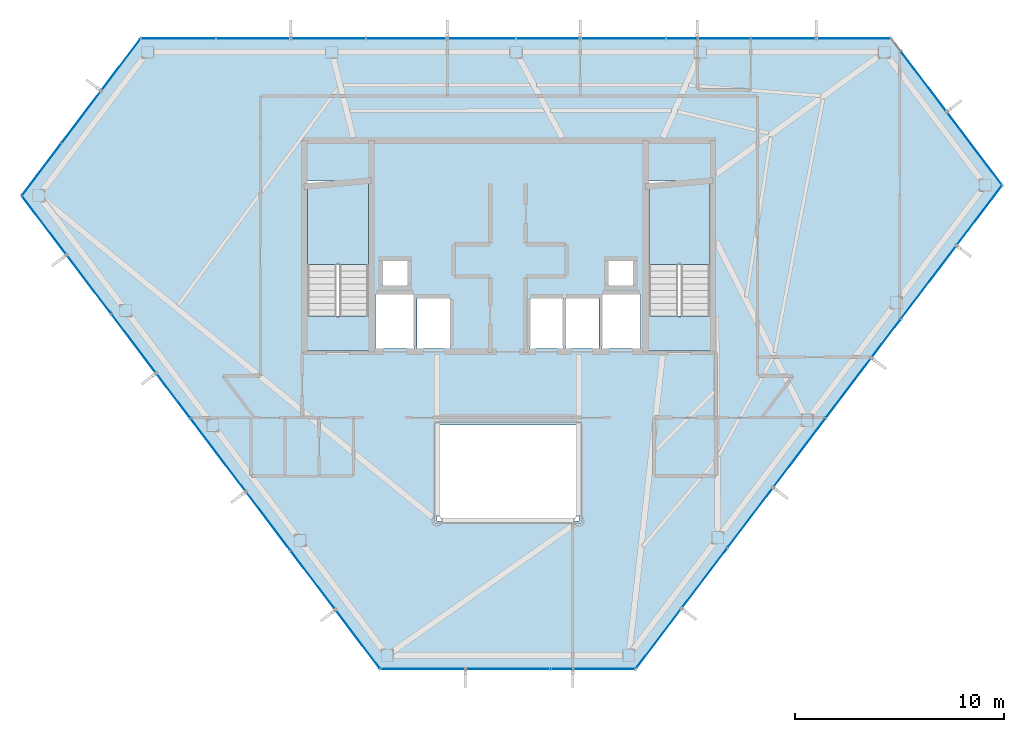
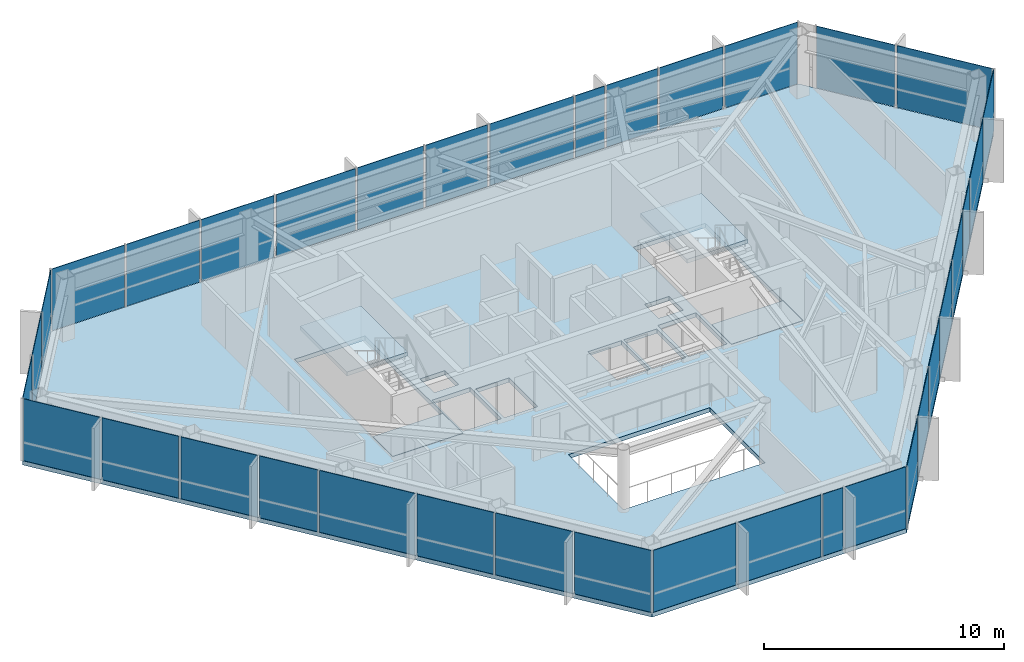
# One storey, part 24 of 28: 36 plates, 5 slabs, 8 elements without a shape of their own.
"""IFC4 building model written with IfcOpenShell, lengths in metres."""

from ifc_helpers import new_model, si_unit, direction, frame, origin, origin_2d, place, context, subcontext, project, spatial, polyline, rectangle, outline, extrude, material, layer, layer_set, type_object, element, aggregate, save


model = new_model("IFC4")

# Units and contexts
model_context = context("Model", 3, precision=1e-05, world=origin(), true_north=direction((0.0, 1.0)))
body_context = subcontext(model_context, "Body", "Model", "MODEL_VIEW")
ifc_project = project(units=[si_unit("LENGTHUNIT", "METRE"), si_unit("AREAUNIT", "SQUARE_METRE"), si_unit("VOLUMEUNIT", "CUBIC_METRE"), si_unit("PLANEANGLEUNIT", "RADIAN"), si_unit("MASSUNIT", "GRAM", prefix="KILO")], contexts=[model_context])

# Site, building, storey
site_placement = place(None, origin())
site = spatial("IfcSite", under=ifc_project, at=site_placement, CompositionType="ELEMENT")
building_placement = place(site_placement, origin())
building = spatial("IfcBuilding", under=site, at=building_placement, Name="Zarrinselat Tower", CompositionType="ELEMENT")
storey_placement = place(building_placement, frame((0.0, 0.0, 218.9599609375)))
storey = spatial("IfcBuildingStorey", under=building, at=storey_placement, Name="L54", CompositionType="ELEMENT", Elevation=218.9599609375)

# Curtain wall, plates
ifc_material_1 = material(Name="Extruded Aluminium Alloy EN AW-6063 T6", Category="aluminium")
ifc_layer_1 = layer(ifc_material_1, 0.169921875)
ifc_layer_set_1 = layer_set([ifc_layer_1], Name="Extruded Aluminium Alloy EN AW-6063 T6")
curtain_wall_type = type_object("IfcCurtainWallType", Name="CWS-RES", PredefinedType="NOTDEFINED", material=ifc_layer_set_1)
curtain_wall_1_placement = place(storey_placement, origin())
curtain_wall_1 = element("IfcCurtainWall", 1, at=curtain_wall_1_placement, inside=storey, type_object=curtain_wall_type, Name="L54 Unitised Curtain Wall CW-L54-E01", PredefinedType="NOTDEFINED")
ifc_material_2 = material(Name="Double Low-E Laminated Solar Glass", Category="glass")
ifc_layer_2 = layer(ifc_material_2, 0.028076171875)
ifc_layer_set_2 = layer_set([ifc_layer_2], Name="Double Low-E Laminated Solar Glass")
plate_type = type_object("IfcPlateType", Name="PLT-CW-GL28", PredefinedType="CURTAIN_PANEL", material=ifc_layer_set_2)
plate_1_placement = place(storey_placement, frame((54.943603515625, 48.29443359375, 0.02001953125), z_axis=(0.0, 0.0, 1.0), x_axis=(-1.0, 0.0, 0.0)))
plate_1 = element("IfcPlate", 2, at=plate_1_placement, type_object=plate_type, Name="CW-L54-E01 Vision Glass Panel 1", PredefinedType="CURTAIN_PANEL", context=body_context, shape_type="SweptSolid", body=[
    extrude(rectangle(XDim=3.491455078125, YDim=0.028076171875, at=origin_2d()), origin(), (0.0, 0.0, 1.0), 3.139892578125),
])
plate_2_placement = place(storey_placement, frame((51.581787109375, 48.29443359375, 0.02001953125), z_axis=(0.0, 0.0, 1.0), x_axis=(-1.0, 0.0, 0.0)))
plate_2 = element("IfcPlate", 3, at=plate_2_placement, type_object=plate_type, Name="CW-L54-E01 Vision Glass Panel 2", PredefinedType="CURTAIN_PANEL", context=body_context, shape_type="SweptSolid", body=[
    extrude(rectangle(XDim=3.03271484375, YDim=0.028076171875, at=origin_2d()), origin(), (0.0, 0.0, 1.0), 3.139892578125),
])
plate_3_placement = place(storey_placement, frame((48.740234375, 48.29443359375, 0.02001953125), z_axis=(0.0, 0.0, 1.0), x_axis=(-1.0, 0.0, 0.0)))
plate_3 = element("IfcPlate", 4, at=plate_3_placement, type_object=plate_type, Name="CW-L54-E01 Vision Glass Panel 3", PredefinedType="CURTAIN_PANEL", context=body_context, shape_type="SweptSolid", body=[
    extrude(rectangle(XDim=2.449951171875, YDim=0.028076171875, at=origin_2d()), origin(), (0.0, 0.0, 1.0), 3.139892578125),
])
plate_4_placement = place(storey_placement, frame((46.71533203125, 48.29443359375, 0.02001953125), z_axis=(0.0, 0.0, 1.0), x_axis=(-1.0, 0.0, 0.0)))
plate_4 = element("IfcPlate", 5, at=plate_4_placement, type_object=plate_type, Name="CW-L54-E01 Vision Glass Panel 4", PredefinedType="CURTAIN_PANEL", context=body_context, shape_type="SweptSolid", body=[
    extrude(rectangle(XDim=1.400146484375, YDim=0.028076171875, at=origin_2d()), origin(), (0.0, 0.0, 1.0), 3.139892578125),
])
plate_5_placement = place(storey_placement, frame((43.910400390625, 48.29443359375, 0.02001953125), z_axis=(0.0, 0.0, 1.0), x_axis=(-1.0, 0.0, 0.0)))
plate_5 = element("IfcPlate", 6, at=plate_5_placement, type_object=plate_type, Name="CW-L54-E01 Vision Glass Panel 5", PredefinedType="CURTAIN_PANEL", context=body_context, shape_type="SweptSolid", body=[
    extrude(rectangle(XDim=4.010009765625, YDim=0.028076171875, at=origin_2d()), origin(), (0.0, 0.0, 1.0), 3.139892578125),
])
plate_6_placement = place(storey_placement, frame((40.31884765625, 48.29443359375, 0.02001953125), z_axis=(0.0, 0.0, 1.0), x_axis=(-1.0, 0.0, 0.0)))
plate_6 = element("IfcPlate", 7, at=plate_6_placement, type_object=plate_type, Name="CW-L54-E01 Vision Glass Panel 6", PredefinedType="CURTAIN_PANEL", context=body_context, shape_type="SweptSolid", body=[
    extrude(rectangle(XDim=2.972900390625, YDim=0.028076171875, at=origin_2d()), origin(), (0.0, 0.0, 1.0), 3.139892578125),
])
plate_7_placement = place(storey_placement, frame((37.14111328125, 48.29443359375, 0.02001953125), z_axis=(0.0, 0.0, 1.0), x_axis=(-1.0, 0.0, 0.0)))
plate_7 = element("IfcPlate", 8, at=plate_7_placement, type_object=plate_type, Name="CW-L54-E01 Vision Glass Panel 7", PredefinedType="CURTAIN_PANEL", context=body_context, shape_type="SweptSolid", body=[
    extrude(rectangle(XDim=3.1826171875, YDim=0.028076171875, at=origin_2d()), origin(), (0.0, 0.0, 1.0), 3.139892578125),
])
plate_8_placement = place(storey_placement, frame((33.5498046875, 48.29443359375, 0.02001953125), z_axis=(0.0, 0.0, 1.0), x_axis=(-1.0, 0.0, 0.0)))
plate_8 = element("IfcPlate", 9, at=plate_8_placement, type_object=plate_type, Name="CW-L54-E01 Vision Glass Panel 8", PredefinedType="CURTAIN_PANEL", context=body_context, shape_type="SweptSolid", body=[
    extrude(rectangle(XDim=3.80029296875, YDim=0.028076171875, at=origin_2d()), origin(), (0.0, 0.0, 1.0), 3.139892578125),
])
plate_9_placement = place(storey_placement, frame((29.803955078125, 48.29443359375, 0.02001953125), z_axis=(0.0, 0.0, 1.0), x_axis=(-1.0, 0.0, 0.0)))
plate_9 = element("IfcPlate", 10, at=plate_9_placement, type_object=plate_type, Name="CW-L54-E01 Vision Glass Panel 9", PredefinedType="CURTAIN_PANEL", context=body_context, shape_type="SweptSolid", body=[
    extrude(rectangle(XDim=3.491455078125, YDim=0.028076171875, at=origin_2d()), origin(), (0.0, 0.0, 1.0), 3.139892578125),
])
plate_10_placement = place(storey_placement, frame((26.212646484375, 48.29443359375, 0.02001953125), z_axis=(0.0, 0.0, 1.0), x_axis=(-1.0, 0.0, 0.0)))
plate_10 = element("IfcPlate", 11, at=plate_10_placement, type_object=plate_type, Name="CW-L54-E01 Vision Glass Panel 10", PredefinedType="CURTAIN_PANEL", context=body_context, shape_type="SweptSolid", body=[
    extrude(rectangle(XDim=3.491455078125, YDim=0.028076171875, at=origin_2d()), origin(), (0.0, 0.0, 1.0), 3.139892578125),
])
plate_11_placement = place(storey_placement, frame((22.62109375, 48.29443359375, 0.02001953125), z_axis=(0.0, 0.0, 1.0), x_axis=(-1.0, 0.0, 0.0)))
plate_11 = element("IfcPlate", 12, at=plate_11_placement, type_object=plate_type, Name="CW-L54-E01 Vision Glass Panel 11", PredefinedType="CURTAIN_PANEL", context=body_context, shape_type="SweptSolid", body=[
    extrude(rectangle(XDim=3.491455078125, YDim=0.028076171875, at=origin_2d()), origin(), (0.0, 0.0, 1.0), 3.139892578125),
])
aggregate(curtain_wall_1, [plate_1, plate_2, plate_3, plate_4, plate_5, plate_6, plate_7, plate_8, plate_9, plate_10, plate_11])

curtain_wall_2_placement = place(storey_placement, origin())
curtain_wall_2 = element("IfcCurtainWall", 13, at=curtain_wall_2_placement, inside=storey, type_object=curtain_wall_type, Name="L54 Unitised Curtain Wall CW-L54-E02", PredefinedType="NOTDEFINED")
plate_12_placement = place(storey_placement, frame((19.875732421875, 47.040771484375, 0.02001953125), z_axis=(0.0, 0.0, 1.0), x_axis=(-0.603865236347, -0.79708642965, 0.0)))
plate_12 = element("IfcPlate", 14, at=plate_12_placement, type_object=plate_type, Name="CW-L54-E02 Vision Glass Panel 1", PredefinedType="CURTAIN_PANEL", context=body_context, shape_type="SweptSolid", body=[
    extrude(rectangle(XDim=3.0458984375, YDim=0.028076171875, at=origin_2d()), origin(), (0.0, 0.0, 1.0), 3.139892578125),
])
plate_13_placement = place(storey_placement, frame((17.97607421875, 44.533203125, 0.02001953125), z_axis=(0.0, 0.0, 1.0), x_axis=(-0.603865236347, -0.79708642965, 0.0)))
plate_13 = element("IfcPlate", 15, at=plate_13_placement, type_object=plate_type, Name="CW-L54-E02 Vision Glass Panel 2", PredefinedType="CURTAIN_PANEL", context=body_context, shape_type="SweptSolid", body=[
    extrude(rectangle(XDim=3.0458984375, YDim=0.028076171875, at=origin_2d()), origin(), (0.0, 0.0, 1.0), 3.139892578125),
])
plate_14_placement = place(storey_placement, frame((16.076416015625, 42.025634765625, 0.02001953125), z_axis=(0.0, 0.0, 1.0), x_axis=(-0.603865236347, -0.79708642965, 0.0)))
plate_14 = element("IfcPlate", 16, at=plate_14_placement, type_object=plate_type, Name="CW-L54-E02 Vision Glass Panel 3", PredefinedType="CURTAIN_PANEL", context=body_context, shape_type="SweptSolid", body=[
    extrude(rectangle(XDim=3.0458984375, YDim=0.028076171875, at=origin_2d()), origin(), (0.0, 0.0, 1.0), 3.139892578125),
])
aggregate(curtain_wall_2, [plate_12, plate_13, plate_14])

curtain_wall_3_placement = place(storey_placement, origin())
curtain_wall_3 = element("IfcCurtainWall", 17, at=curtain_wall_3_placement, inside=storey, type_object=curtain_wall_type, Name="L54 Unitised Curtain Wall CW-L54-E03", PredefinedType="NOTDEFINED")
plate_15_placement = place(storey_placement, frame((16.19921875, 39.35595703125, 0.02001953125), z_axis=(0.0, 0.0, 1.0), x_axis=(0.603859787908, -0.797090557307, 0.0)))
plate_15 = element("IfcPlate", 18, at=plate_15_placement, type_object=plate_type, Name="CW-L54-E03 Vision Glass Panel 1", PredefinedType="CURTAIN_PANEL", context=body_context, shape_type="SweptSolid", body=[
    extrude(rectangle(XDim=3.452880859375, YDim=0.028076171875, at=origin_2d()), origin(), (0.0, 0.0, 1.0), 3.139892578125),
])
plate_16_placement = place(storey_placement, frame((18.3447265625, 36.524169921875, 0.02001953125), z_axis=(0.0, 0.0, 1.0), x_axis=(0.603859787908, -0.797090557307, 0.0)))
plate_16 = element("IfcPlate", 19, at=plate_16_placement, type_object=plate_type, Name="CW-L54-E03 Vision Glass Panel 2", PredefinedType="CURTAIN_PANEL", context=body_context, shape_type="SweptSolid", body=[
    extrude(rectangle(XDim=3.452880859375, YDim=0.028076171875, at=origin_2d()), origin(), (0.0, 0.0, 1.0), 3.139892578125),
])
plate_17_placement = place(storey_placement, frame((20.489990234375, 33.692138671875, 0.02001953125), z_axis=(0.0, 0.0, 1.0), x_axis=(0.603859787908, -0.797090557307, 0.0)))
plate_17 = element("IfcPlate", 20, at=plate_17_placement, type_object=plate_type, Name="CW-L54-E03 Vision Glass Panel 3", PredefinedType="CURTAIN_PANEL", context=body_context, shape_type="SweptSolid", body=[
    extrude(rectangle(XDim=3.452880859375, YDim=0.028076171875, at=origin_2d()), origin(), (0.0, 0.0, 1.0), 3.139892578125),
])
plate_18_placement = place(storey_placement, frame((22.3818359375, 31.195068359375, 0.02001953125), z_axis=(0.0, 0.0, 1.0), x_axis=(0.603859787908, -0.797090557307, 0.0)))
plate_18 = element("IfcPlate", 21, at=plate_18_placement, type_object=plate_type, Name="CW-L54-E03 Vision Glass Panel 4", PredefinedType="CURTAIN_PANEL", context=body_context, shape_type="SweptSolid", body=[
    extrude(rectangle(XDim=2.613037109375, YDim=0.028076171875, at=origin_2d()), origin(), (0.0, 0.0, 1.0), 3.139892578125),
])
plate_19_placement = place(storey_placement, frame((24.52734375, 28.363037109375, 0.02001953125), z_axis=(0.0, 0.0, 1.0), x_axis=(0.603859787908, -0.797090557307, 0.0)))
plate_19 = element("IfcPlate", 22, at=plate_19_placement, type_object=plate_type, Name="CW-L54-E03 Vision Glass Panel 5", PredefinedType="CURTAIN_PANEL", context=body_context, shape_type="SweptSolid", body=[
    extrude(rectangle(XDim=4.29248046875, YDim=0.028076171875, at=origin_2d()), origin(), (0.0, 0.0, 1.0), 3.139892578125),
])
plate_20_placement = place(storey_placement, frame((26.92626953125, 25.196533203125, 0.02001953125), z_axis=(0.0, 0.0, 1.0), x_axis=(0.603859787908, -0.797090557307, 0.0)))
plate_20 = element("IfcPlate", 23, at=plate_20_placement, type_object=plate_type, Name="CW-L54-E03 Vision Glass Panel 6", PredefinedType="CURTAIN_PANEL", context=body_context, shape_type="SweptSolid", body=[
    extrude(rectangle(XDim=3.452880859375, YDim=0.028076171875, at=origin_2d()), origin(), (0.0, 0.0, 1.0), 3.139892578125),
])
plate_21_placement = place(storey_placement, frame((29.07177734375, 22.364501953125, 0.02001953125), z_axis=(0.0, 0.0, 1.0), x_axis=(0.603859787908, -0.797090557307, 0.0)))
plate_21 = element("IfcPlate", 24, at=plate_21_placement, type_object=plate_type, Name="CW-L54-E03 Vision Glass Panel 7", PredefinedType="CURTAIN_PANEL", context=body_context, shape_type="SweptSolid", body=[
    extrude(rectangle(XDim=3.452880859375, YDim=0.028076171875, at=origin_2d()), origin(), (0.0, 0.0, 1.0), 3.139892578125),
])
plate_22_placement = place(storey_placement, frame((31.217041015625, 19.53271484375, 0.02001953125), z_axis=(0.0, 0.0, 1.0), x_axis=(0.603859787908, -0.797090557307, 0.0)))
plate_22 = element("IfcPlate", 25, at=plate_22_placement, type_object=plate_type, Name="CW-L54-E03 Vision Glass Panel 8", PredefinedType="CURTAIN_PANEL", context=body_context, shape_type="SweptSolid", body=[
    extrude(rectangle(XDim=3.452880859375, YDim=0.028076171875, at=origin_2d()), origin(), (0.0, 0.0, 1.0), 3.139892578125),
])
aggregate(curtain_wall_3, [plate_15, plate_16, plate_17, plate_18, plate_19, plate_20, plate_21, plate_22])

curtain_wall_4_placement = place(storey_placement, origin())
curtain_wall_4 = element("IfcCurtainWall", 26, at=curtain_wall_4_placement, inside=storey, type_object=curtain_wall_type, Name="L54 Unitised Curtain Wall CW-L54-E04", PredefinedType="NOTDEFINED")
plate_23_placement = place(storey_placement, frame((34.326416015625, 18.11669921875, 0.02001953125), z_axis=(0.0, 0.0, 1.0), x_axis=(1.0, 0.0, 0.0)))
plate_23 = element("IfcPlate", 27, at=plate_23_placement, type_object=plate_type, Name="CW-L54-E04 Vision Glass Panel 1", PredefinedType="CURTAIN_PANEL", context=body_context, shape_type="SweptSolid", body=[
    extrude(rectangle(XDim=3.973388671875, YDim=0.028076171875, at=origin_2d()), origin(), (0.0, 0.0, 1.0), 3.139892578125),
])
plate_24_placement = place(storey_placement, frame((38.39990234375, 18.11669921875, 0.02001953125), z_axis=(0.0, 0.0, 1.0), x_axis=(1.0, 0.0, 0.0)))
plate_24 = element("IfcPlate", 28, at=plate_24_placement, type_object=plate_type, Name="CW-L54-E04 Vision Glass Panel 2", PredefinedType="CURTAIN_PANEL", context=body_context, shape_type="SweptSolid", body=[
    extrude(rectangle(XDim=3.973388671875, YDim=0.028076171875, at=origin_2d()), origin(), (0.0, 0.0, 1.0), 3.139892578125),
])
plate_25_placement = place(storey_placement, frame((40.968505859375, 18.11669921875, 0.02001953125), z_axis=(0.0, 0.0, 1.0), x_axis=(1.0, 0.0, 0.0)))
plate_25 = element("IfcPlate", 29, at=plate_25_placement, type_object=plate_type, Name="CW-L54-E04 Vision Glass Panel 3", PredefinedType="CURTAIN_PANEL", context=body_context, shape_type="SweptSolid", body=[
    extrude(rectangle(XDim=0.96337890625, YDim=0.028076171875, at=origin_2d()), origin(), (0.0, 0.0, 1.0), 3.139892578125),
])
plate_26_placement = place(storey_placement, frame((43.005126953125, 18.11669921875, 0.02001953125), z_axis=(0.0, 0.0, 1.0), x_axis=(1.0, 0.0, 0.0)))
plate_26 = element("IfcPlate", 30, at=plate_26_placement, type_object=plate_type, Name="CW-L54-E04 Vision Glass Panel 4", PredefinedType="CURTAIN_PANEL", context=body_context, shape_type="SweptSolid", body=[
    extrude(rectangle(XDim=2.91015625, YDim=0.028076171875, at=origin_2d()), origin(), (0.0, 0.0, 1.0), 3.139892578125),
])
aggregate(curtain_wall_4, [plate_23, plate_24, plate_25, plate_26])

curtain_wall_5_placement = place(storey_placement, origin())
curtain_wall_5 = element("IfcCurtainWall", 31, at=curtain_wall_5_placement, inside=storey, type_object=curtain_wall_type, Name="L54 Unitised Curtain Wall CW-L54-E05", PredefinedType="NOTDEFINED")
plate_27_placement = place(storey_placement, frame((45.606689453125, 19.564208984375, 0.02001953125), z_axis=(0.0, 0.0, 1.0), x_axis=(0.603859212041, 0.797090993572, 0.0)))
plate_27 = element("IfcPlate", 32, at=plate_27_placement, type_object=plate_type, Name="CW-L54-E05 Vision Glass Panel 1", PredefinedType="CURTAIN_PANEL", context=body_context, shape_type="SweptSolid", body=[
    extrude(rectangle(XDim=3.531982421875, YDim=0.028076171875, at=origin_2d()), origin(), (0.0, 0.0, 1.0), 3.139892578125),
])
plate_28_placement = place(storey_placement, frame((47.800048828125, 22.459228515625, 0.02001953125), z_axis=(0.0, 0.0, 1.0), x_axis=(0.603859212041, 0.797090993572, 0.0)))
plate_28 = element("IfcPlate", 33, at=plate_28_placement, type_object=plate_type, Name="CW-L54-E05 Vision Glass Panel 2", PredefinedType="CURTAIN_PANEL", context=body_context, shape_type="SweptSolid", body=[
    extrude(rectangle(XDim=3.531982421875, YDim=0.028076171875, at=origin_2d()), origin(), (0.0, 0.0, 1.0), 3.139892578125),
])
plate_29_placement = place(storey_placement, frame((49.9931640625, 25.354248046875, 0.02001953125), z_axis=(0.0, 0.0, 1.0), x_axis=(0.603859212041, 0.797090993572, 0.0)))
plate_29 = element("IfcPlate", 34, at=plate_29_placement, type_object=plate_type, Name="CW-L54-E05 Vision Glass Panel 3", PredefinedType="CURTAIN_PANEL", context=body_context, shape_type="SweptSolid", body=[
    extrude(rectangle(XDim=3.531982421875, YDim=0.028076171875, at=origin_2d()), origin(), (0.0, 0.0, 1.0), 3.139892578125),
])
plate_30_placement = place(storey_placement, frame((52.344482421875, 28.457763671875, 0.02001953125), z_axis=(0.0, 0.0, 1.0), x_axis=(0.603859212041, 0.797090993572, 0.0)))
plate_30 = element("IfcPlate", 35, at=plate_30_placement, type_object=plate_type, Name="CW-L54-E05 Vision Glass Panel 4", PredefinedType="CURTAIN_PANEL", context=body_context, shape_type="SweptSolid", body=[
    extrude(rectangle(XDim=4.05517578125, YDim=0.028076171875, at=origin_2d()), origin(), (0.0, 0.0, 1.0), 3.139892578125),
])
plate_31_placement = place(storey_placement, frame((54.695068359375, 31.560546875, 0.02001953125), z_axis=(0.0, 0.0, 1.0), x_axis=(0.603859212041, 0.797090993572, 0.0)))
plate_31 = element("IfcPlate", 36, at=plate_31_placement, type_object=plate_type, Name="CW-L54-E05 Vision Glass Panel 5", PredefinedType="CURTAIN_PANEL", context=body_context, shape_type="SweptSolid", body=[
    extrude(rectangle(XDim=3.530029296875, YDim=0.028076171875, at=origin_2d()), origin(), (0.0, 0.0, 1.0), 3.139892578125),
])
plate_32_placement = place(storey_placement, frame((56.49462890625, 33.93603515625, 0.02001953125), z_axis=(0.0, 0.0, 1.0), x_axis=(0.603859212041, 0.797090993572, 0.0)))
plate_32 = element("IfcPlate", 37, at=plate_32_placement, type_object=plate_type, Name="CW-L54-E05 Vision Glass Panel 6", PredefinedType="CURTAIN_PANEL", context=body_context, shape_type="SweptSolid", body=[
    extrude(rectangle(XDim=2.230712890625, YDim=0.028076171875, at=origin_2d()), origin(), (0.0, 0.0, 1.0), 3.139892578125),
])
plate_33_placement = place(storey_placement, frame((58.530517578125, 36.623291015625, 0.02001953125), z_axis=(0.0, 0.0, 1.0), x_axis=(0.603859212041, 0.797090993572, 0.0)))
plate_33 = element("IfcPlate", 38, at=plate_33_placement, type_object=plate_type, Name="CW-L54-E05 Vision Glass Panel 7", PredefinedType="CURTAIN_PANEL", context=body_context, shape_type="SweptSolid", body=[
    extrude(rectangle(XDim=4.31201171875, YDim=0.028076171875, at=origin_2d()), origin(), (0.0, 0.0, 1.0), 3.139892578125),
])
plate_34_placement = place(storey_placement, frame((60.959228515625, 39.829345703125, 0.02001953125), z_axis=(0.0, 0.0, 1.0), x_axis=(0.603859212041, 0.797090993572, 0.0)))
plate_34 = element("IfcPlate", 39, at=plate_34_placement, type_object=plate_type, Name="CW-L54-E05 Vision Glass Panel 8", PredefinedType="CURTAIN_PANEL", context=body_context, shape_type="SweptSolid", body=[
    extrude(rectangle(XDim=3.531982421875, YDim=0.028076171875, at=origin_2d()), origin(), (0.0, 0.0, 1.0), 3.139892578125),
])
aggregate(curtain_wall_5, [plate_27, plate_28, plate_29, plate_30, plate_31, plate_32, plate_33, plate_34])

curtain_wall_6_placement = place(storey_placement, origin())
curtain_wall_6 = element("IfcCurtainWall", 40, at=curtain_wall_6_placement, inside=storey, type_object=curtain_wall_type, Name="L54 Unitised Curtain Wall CW-L54-E06", PredefinedType="NOTDEFINED")
plate_35_placement = place(storey_placement, frame((60.726806640625, 43.03125, 0.02001953125), z_axis=(0.0, 0.0, 1.0), x_axis=(-0.603860312232, 0.797090160089, 0.0)))
plate_35 = element("IfcPlate", 41, at=plate_35_placement, type_object=plate_type, Name="CW-L54-E06 Vision Glass Panel 1", PredefinedType="CURTAIN_PANEL", context=body_context, shape_type="SweptSolid", body=[
    extrude(rectangle(XDim=4.302001953125, YDim=0.028076171875, at=origin_2d()), origin(), (0.0, 0.0, 1.0), 3.139892578125),
])
plate_36_placement = place(storey_placement, frame((58.298095703125, 46.237060546875, 0.02001953125), z_axis=(0.0, 0.0, 1.0), x_axis=(-0.603860312232, 0.797090160089, 0.0)))
plate_36 = element("IfcPlate", 42, at=plate_36_placement, type_object=plate_type, Name="CW-L54-E06 Vision Glass Panel 2", PredefinedType="CURTAIN_PANEL", context=body_context, shape_type="SweptSolid", body=[
    extrude(rectangle(XDim=3.5419921875, YDim=0.028076171875, at=origin_2d()), origin(), (0.0, 0.0, 1.0), 3.139892578125),
])
aggregate(curtain_wall_6, [plate_35, plate_36])

# Slabs
ifc_material_3 = material(Name="Concrete C40/50", Category="concrete")
ifc_layer_3 = layer(ifc_material_3, 0.219970703125)
ifc_layer_set_3 = layer_set([ifc_layer_3], Name="Concrete C40/50")
slab_type_1 = type_object("IfcSlabType", Name="SLB-FLOOR-220-SL-RS220", PredefinedType="FLOOR", material=ifc_layer_set_3)
slab_1_placement = place(storey_placement, frame((0.0, 0.0, -0.219970703125)))
element("IfcSlab", 43, at=slab_1_placement, inside=storey, type_object=slab_type_1, Name="L54 Primary Structural Slab", PredefinedType="FLOOR", context=body_context, shape_type="SweptSolid", body=[
    extrude(outline(polyline([(56.739501953125, 48.29443359375), (20.825439453125, 48.29443359375), (15.126708984375, 40.77197265625), (32.289794921875, 18.11669921875), (44.51025390625, 18.11669921875), (62.055908203125, 41.27685546875), (56.739501953125, 48.29443359375)]), holes=[polyline([(41.800048828125, 25.199951171875), (35.0, 25.199951171875), (35.0, 29.800048828125), (41.800048828125, 29.800048828125), (41.800048828125, 25.199951171875)]), polyline([(35.64990234375, 33.449951171875), (34.050048828125, 33.449951171875), (34.050048828125, 35.85009765625), (35.64990234375, 35.85009765625), (35.64990234375, 33.449951171875)]), polyline([(41.050048828125, 33.449951171875), (39.449951171875, 33.449951171875), (39.449951171875, 35.85009765625), (41.050048828125, 35.85009765625), (41.050048828125, 33.449951171875)]), polyline([(41.14990234375, 33.449951171875), (41.14990234375, 35.85009765625), (42.75, 35.85009765625), (42.75, 33.449951171875), (41.14990234375, 33.449951171875)]), polyline([(32.06005859375, 33.449951171875), (32.06005859375, 36.050048828125), (33.89990234375, 36.050048828125), (33.89990234375, 33.449951171875), (32.06005859375, 33.449951171875)]), polyline([(44.739990234375, 33.449951171875), (42.89990234375, 33.449951171875), (42.89990234375, 36.050048828125), (44.739990234375, 36.050048828125), (44.739990234375, 33.449951171875)]), polyline([(33.60009765625, 36.47998046875), (32.419921875, 36.47998046875), (32.419921875, 37.639892578125), (33.60009765625, 37.639892578125), (33.60009765625, 36.47998046875)]), polyline([(44.3798828125, 36.47998046875), (43.199951171875, 36.47998046875), (43.199951171875, 37.639892578125), (44.3798828125, 37.639892578125), (44.3798828125, 36.47998046875)]), polyline([(31.985107421875, 33.324951171875), (28.60498046875, 33.324951171875), (28.60498046875, 41.47509765625), (31.985107421875, 41.47509765625), (31.985107421875, 33.324951171875)]), polyline([(48.324951171875, 33.324951171875), (44.875, 33.324951171875), (44.875, 41.47509765625), (48.324951171875, 41.47509765625), (48.324951171875, 33.324951171875)])]), origin(), (0.0, 0.0, 1.0), 0.219970703125),
])
slab_2_placement = place(storey_placement, frame((0.0, 0.0, -0.219970703125)))
element("IfcSlab", 44, at=slab_2_placement, inside=storey, type_object=slab_type_1, Name="L54 Stair ST-1-FL1 Structural Floor Landing", PredefinedType="FLOOR", context=body_context, shape_type="SweptSolid", body=[
    extrude(outline(polyline([(31.97998046875, 33.330078125), (31.97998046875, 35.0), (28.610107421875, 35.0), (28.610107421875, 33.330078125), (31.97998046875, 33.330078125)])), origin(), (0.0, 0.0, 1.0), 0.219970703125),
])
slab_3_placement = place(storey_placement, frame((0.0, 0.0, -0.219970703125)))
element("IfcSlab", 45, at=slab_3_placement, inside=storey, type_object=slab_type_1, Name="L54 Stair ST-2-FL1 Structural Floor Landing", PredefinedType="FLOOR", context=body_context, shape_type="SweptSolid", body=[
    extrude(outline(polyline([(48.320068359375, 33.330078125), (48.320068359375, 35.0), (44.8798828125, 35.0), (44.8798828125, 33.330078125), (48.320068359375, 33.330078125)])), origin(), (0.0, 0.0, 1.0), 0.219970703125),
])

# Stair, slab
ifc_material_4 = material(Name="Concrete C40/50", Category="concrete")
stair_type = type_object("IfcStairType", Name="STR-CORE-155", PredefinedType="HALF_TURN_STAIR", material=ifc_material_4)
stair_1_placement = place(storey_placement, origin())
stair_1 = element("IfcStair", 46, at=stair_1_placement, inside=storey, type_object=stair_type, Name="L54 Core Exit Stair 1", PredefinedType="HALF_TURN_STAIR")
ifc_material_5 = material(Name="Concrete C40/50", Category="concrete")
ifc_layer_4 = layer(ifc_material_5, 0.18994140625)
ifc_layer_set_4 = layer_set([ifc_layer_4], Name="Concrete C40/50")
slab_type_2 = type_object("IfcSlabType", Name="SLB-LND-190", PredefinedType="LANDING", material=ifc_layer_set_4)
slab_4_placement = place(storey_placement, frame((0.0, 0.0, 1.5)))
slab_4 = element("IfcSlab", 47, at=slab_4_placement, type_object=slab_type_2, Name="ST-1 landing 1", PredefinedType="LANDING", context=body_context, shape_type="SweptSolid", body=[
    extrude(outline(polyline([(31.719970703125, 37.47998046875), (31.719970703125, 41.35009765625), (28.800048828125, 41.35009765625), (28.800048828125, 37.47998046875), (31.719970703125, 37.47998046875)])), origin(), (0.0, 0.0, 1.0), 0.199951171875),
])
aggregate(stair_1, [slab_4])

stair_2_placement = place(storey_placement, origin())
stair_2 = element("IfcStair", 48, at=stair_2_placement, inside=storey, type_object=stair_type, Name="L54 Core Exit Stair 2", PredefinedType="HALF_TURN_STAIR")
slab_5_placement = place(storey_placement, frame((0.0, 0.0, 1.5)))
slab_5 = element("IfcSlab", 49, at=slab_5_placement, type_object=slab_type_2, Name="ST-2 landing 1", PredefinedType="LANDING", context=body_context, shape_type="SweptSolid", body=[
    extrude(outline(polyline([(48.06005859375, 37.47998046875), (48.06005859375, 41.35009765625), (45.139892578125, 41.35009765625), (45.139892578125, 37.47998046875), (48.06005859375, 37.47998046875)])), origin(), (0.0, 0.0, 1.0), 0.199951171875),
])
aggregate(stair_2, [slab_5])

save(model, "model.ifc")
